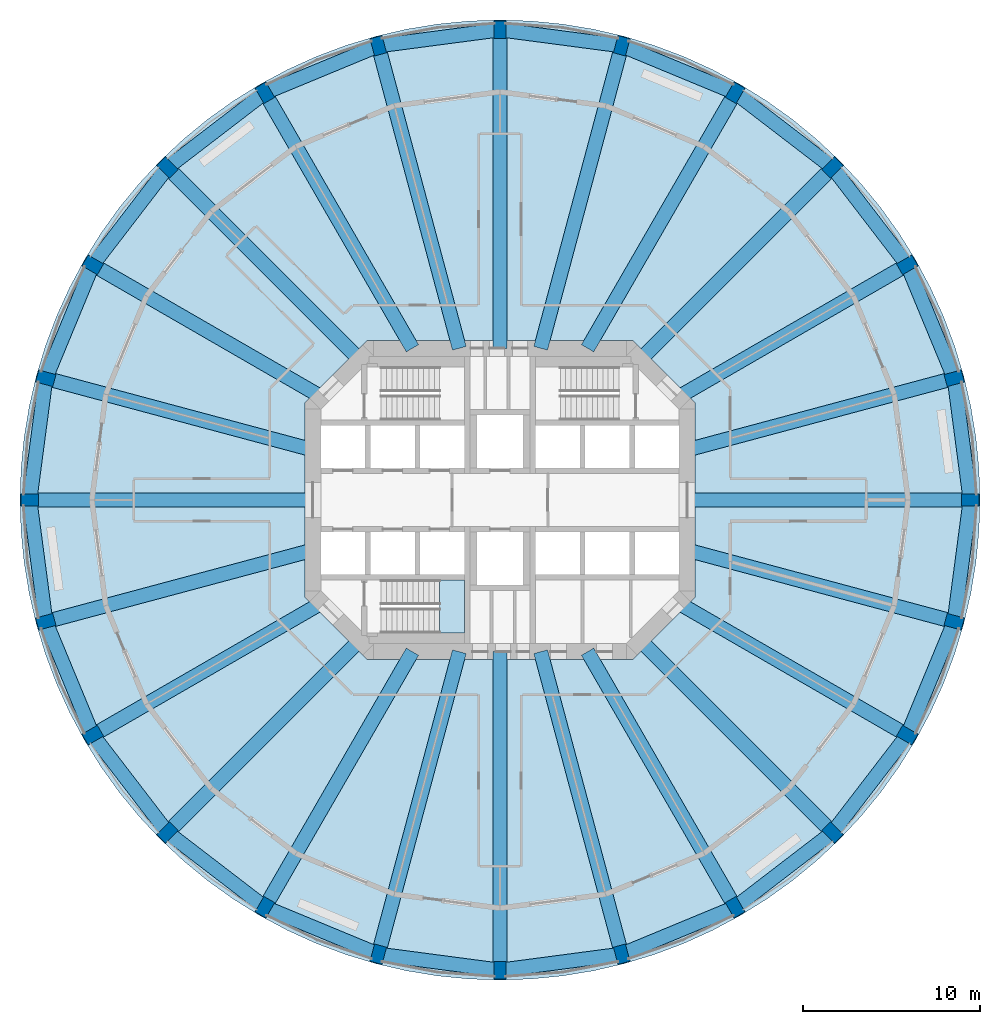
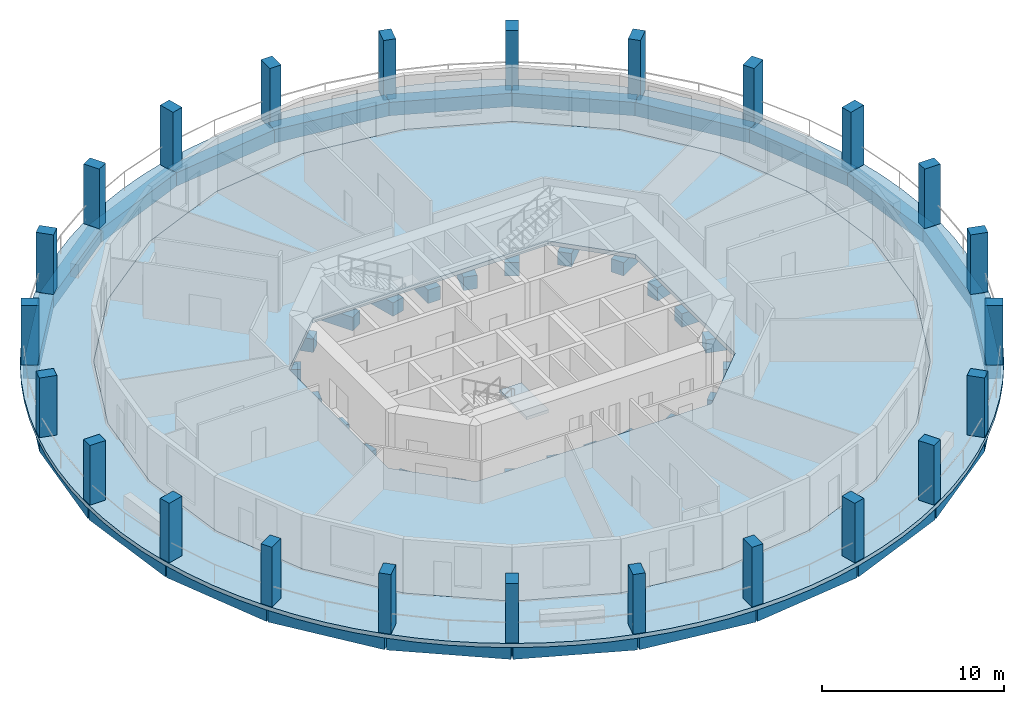
# One storey, part 1 of 9: 48 beams, 24 columns, 3 slabs, 1 element without a shape of its own.
"""IFC4 building model written with IfcOpenShell, lengths in metres."""

import ifcopenshell
import ifcopenshell.guid

model = None  # the IFC model being written
_history = None  # IfcOwnerHistory: only IFC2X3 demands one
_inside = {}  # id of a spatial element -> (the spatial element, [elements in it])
_under = {}  # id of a project, library or spatial element -> (it, [spatial elements below it])
_declared = {}  # id of a project -> (the project, [libraries it declares])
_typed = {}  # id of a type object -> (the type object, [elements of that type])
_made_of = {}  # id of a material, layer set ... -> (it, [elements and type objects made of it])


def new_model(schema):
    """Start an empty IFC model of exactly this schema.

    Asked for "IFC4X3", IfcOpenShell would pick the latest addendum, in which some entities
    have other attributes; the version numbers below select the first issue.
    IFC2X3 requires an IfcOwnerHistory on every rooted entity: one is made here for all.
    """
    global model, _history
    if schema == "IFC4X3":
        model = ifcopenshell.file(schema_version=(4, 3, 0, 0))
    else:
        model = ifcopenshell.file(schema=schema)
    _inside.clear()
    _under.clear()
    _declared.clear()
    _typed.clear()
    _made_of.clear()
    _history = None
    if model.schema == "IFC2X3":
        org = make("IfcOrganization", Name="unknown")
        user = make(
            "IfcPersonAndOrganization",
            ThePerson=make("IfcPerson", FamilyName="unknown"),
            TheOrganization=org,
        )
        app = make(
            "IfcApplication",
            ApplicationDeveloper=org,
            Version="unknown",
            ApplicationFullName="unknown",
            ApplicationIdentifier="unknown",
        )
        _history = make(
            "IfcOwnerHistory",
            OwningUser=user,
            OwningApplication=app,
            ChangeAction="ADDED",
            CreationDate=0,
        )
    return model


def make(cls, **values):
    """One entity of the class cls with the attributes given. An attribute that is None is left unset."""
    return model.create_entity(
        cls, **{name: value for name, value in values.items() if value is not None}
    )


def rooted(cls, **values):
    """An entity with a GlobalId (a new one), such as an element, a storey or a relation."""
    return make(cls, GlobalId=ifcopenshell.guid.new(), OwnerHistory=_history, **values)


def si_unit(unit_type, name, prefix=None):
    """IfcSIUnit, for example si_unit("LENGTHUNIT", "METRE", prefix="MILLI")."""
    return make("IfcSIUnit", UnitType=unit_type, Prefix=prefix, Name=name)


def assignment(units):
    """IfcUnitAssignment: the units of a project."""
    return None if units is None else make("IfcUnitAssignment", Units=units)


def point(xyz):
    """IfcCartesianPoint."""
    return None if xyz is None else make("IfcCartesianPoint", Coordinates=xyz)


def direction(xyz):
    """IfcDirection."""
    return None if xyz is None else make("IfcDirection", DirectionRatios=xyz)


def frame(location, z_axis=None, x_axis=None):
    """IfcAxis2Placement3D, a coordinate frame: its origin and axes. An axis left out is left unset."""
    return make(
        "IfcAxis2Placement3D",
        Location=point(location),
        Axis=direction(z_axis),
        RefDirection=direction(x_axis),
    )


def frame_2d(location, x_axis=None):
    """IfcAxis2Placement2D, a coordinate frame in the plane: its origin and x axis."""
    return make(
        "IfcAxis2Placement2D", Location=point(location), RefDirection=direction(x_axis)
    )


def origin():
    """The frame at (0, 0, 0) with its axes left unset."""
    return frame((0.0, 0.0, 0.0))


def origin_2d():
    """The frame at (0, 0) in the plane with its x axis left unset."""
    return frame_2d((0.0, 0.0))


def place(relative_to, where):
    """IfcLocalPlacement: puts the frame where relative to a parent placement (None: the world)."""
    return make(
        "IfcLocalPlacement", PlacementRelTo=relative_to, RelativePlacement=where
    )


def context(
    kind, dimensions, precision=None, world=None, true_north=None, identifier=None
):
    """IfcGeometricRepresentationContext, for example the 3D "Model" context."""
    return make(
        "IfcGeometricRepresentationContext",
        ContextIdentifier=identifier,
        ContextType=kind,
        CoordinateSpaceDimension=dimensions,
        Precision=precision,
        WorldCoordinateSystem=world,
        TrueNorth=true_north,
    )


def subcontext(parent, identifier, kind, view, scale=None):
    """IfcGeometricRepresentationSubContext, for example "Body" below "Model"."""
    return make(
        "IfcGeometricRepresentationSubContext",
        ContextIdentifier=identifier,
        ContextType=kind,
        ParentContext=parent,
        TargetScale=scale,
        TargetView=view,
    )


def project(units=None, contexts=None):
    """IfcProject with its units and contexts."""
    return rooted(
        "IfcProject",
        Name="project",
        RepresentationContexts=contexts,
        UnitsInContext=assignment(units),
    )


def spatial(cls, under=None, at=None, **own):
    """A site, building, storey or space (cls), placed at a placement, below another one or the project."""
    s = rooted(cls, ObjectPlacement=at, **own)
    if under is not None:
        _under.setdefault(under.id(), (under, []))[1].append(s)
    return s


def polyline(points):
    """IfcPolyline through the points."""
    return make("IfcPolyline", Points=[point(p) for p in points])


def profile(cls, at=None, kind="AREA", **sizes):
    """A parametric profile (cls). Its sizes go by their IFC names, for example OverallWidth=200.0."""
    return make(cls, ProfileType=kind, Position=at, **sizes)


def rectangle(**sizes):
    """IfcRectangleProfileDef."""
    return profile("IfcRectangleProfileDef", **sizes)


def outline(outer, holes=None, kind="AREA"):
    """IfcArbitraryClosedProfileDef: a profile drawn as a closed curve; with holes, ...WithVoids."""
    if holes is None:
        return make("IfcArbitraryClosedProfileDef", ProfileType=kind, OuterCurve=outer)
    return make(
        "IfcArbitraryProfileDefWithVoids",
        ProfileType=kind,
        OuterCurve=outer,
        InnerCurves=holes,
    )


def extrude(swept, where, along, depth):
    """IfcExtrudedAreaSolid: the profile swept, set in the frame where, extruded along a direction by depth."""
    return make(
        "IfcExtrudedAreaSolid",
        SweptArea=swept,
        Position=where,
        ExtrudedDirection=direction(along),
        Depth=depth,
    )


def shape(context_of_items, identifier, shape_type, items):
    """IfcShapeRepresentation: the items that make up one representation, for example the "Body"."""
    return make(
        "IfcShapeRepresentation",
        ContextOfItems=context_of_items,
        RepresentationIdentifier=identifier,
        RepresentationType=shape_type,
        Items=items,
    )


def material(Name=None, Category=None):
    """IfcMaterial."""
    return make("IfcMaterial", Name=Name, Category=Category)


def layer(
    of_material, thickness, ventilated=None, Name=None, Category=None, Priority=None
):
    """IfcMaterialLayer: one layer of a wall or slab, of a material (None: an air gap)."""
    return make(
        "IfcMaterialLayer",
        Material=of_material,
        LayerThickness=thickness,
        IsVentilated=ventilated,
        Name=Name,
        Category=Category,
        Priority=Priority,
    )


def layer_set(layers, Name=None):
    """IfcMaterialLayerSet."""
    return make("IfcMaterialLayerSet", MaterialLayers=layers, LayerSetName=Name)


def material_profile(
    of_material, cross_section, Name=None, Category=None, Priority=None
):
    """IfcMaterialProfile: a cross section and its material."""
    return make(
        "IfcMaterialProfile",
        Name=Name,
        Material=of_material,
        Profile=cross_section,
        Priority=Priority,
        Category=Category,
    )


def profile_set(profiles, Name=None, composite=None):
    """IfcMaterialProfileSet."""
    return make(
        "IfcMaterialProfileSet",
        Name=Name,
        MaterialProfiles=profiles,
        CompositeProfile=composite,
    )


def made_of(thing, what):
    """Note that an element or type object is made of a material, layer set ...; save() writes the relation."""
    if what is not None:
        _made_of.setdefault(what.id(), (what, []))[1].append(thing)
    return thing


def type_object(cls, material=None, **own):
    """A type object (cls), such as IfcWallType, which elements share."""
    return made_of(rooted(cls, **own), material)


def element(
    cls,
    number,
    at=None,
    inside=None,
    cuts=None,
    type_object=None,
    material=None,
    context=None,
    identifier="Body",
    shape_type=None,
    held_by="IfcProductDefinitionShape",
    body=None,
    shapes=None,
    **own,
):
    """One element of the class cls, such as IfcWall. Its Tag is "e" and its number.

    at: its placement. inside: the storey or other place that contains it. cuts: it is an
    opening in that element (IfcRelVoidsElement). A single representation is given by context,
    identifier, shape_type and body (its items); several are given by shapes. held_by: the class
    of the entity that holds the representations. save() writes the other relations.
    """
    e = rooted(cls, Tag="e%d" % number, ObjectPlacement=at, **own)
    if body is not None:
        shapes = [shape(context, identifier, shape_type, body)]
    if shapes is not None:
        e.Representation = make(held_by, Representations=shapes)
    if inside is not None:
        _inside.setdefault(inside.id(), (inside, []))[1].append(e)
    if cuts is not None:
        rooted(
            "IfcRelVoidsElement", RelatingBuildingElement=cuts, RelatedOpeningElement=e
        )
    if type_object is not None:
        _typed.setdefault(type_object.id(), (type_object, []))[1].append(e)
    return made_of(e, material)


def aggregate(whole, parts):
    """IfcRelAggregates: a whole, such as a stair, and the parts it consists of."""
    return rooted("IfcRelAggregates", RelatingObject=whole, RelatedObjects=parts)


def save(model, path):
    """Write the relations noted so far, then the file.

    IfcRelAggregates (storeys below a building ...), IfcRelContainedInSpatialStructure (elements
    in a storey), IfcRelDefinesByType, IfcRelAssociatesMaterial and IfcRelDeclares: one each for
    every whole, place, type object, material and project.
    """
    for whole, parts in _under.values():
        aggregate(whole, parts)
    for where, things in _inside.values():
        rooted(
            "IfcRelContainedInSpatialStructure",
            RelatedElements=things,
            RelatingStructure=where,
        )
    for kind, things in _typed.values():
        rooted("IfcRelDefinesByType", RelatedObjects=things, RelatingType=kind)
    for what, things in _made_of.values():
        rooted("IfcRelAssociatesMaterial", RelatedObjects=things, RelatingMaterial=what)
    for by, libraries in _declared.values():
        rooted("IfcRelDeclares", RelatingContext=by, RelatedDefinitions=libraries)
    model.write(path)


model = new_model("IFC4")

# Units and contexts
model_context = context("Model", 3, precision=1e-05, world=origin(), true_north=direction((0.0, 1.0)))
body_context = subcontext(model_context, "Body", "Model", "MODEL_VIEW")
ifc_project = project(units=[si_unit("LENGTHUNIT", "METRE"), si_unit("AREAUNIT", "SQUARE_METRE"), si_unit("VOLUMEUNIT", "CUBIC_METRE"), si_unit("PLANEANGLEUNIT", "RADIAN"), si_unit("MASSUNIT", "GRAM", prefix="KILO")], contexts=[model_context])

# Site, building, storey
site_placement = place(None, origin())
site = spatial("IfcSite", under=ifc_project, at=site_placement, CompositionType="ELEMENT")
building_placement = place(site_placement, origin())
building = spatial("IfcBuilding", under=site, at=building_placement, Name="Torre Triforio", CompositionType="ELEMENT")
storey_placement = place(building_placement, frame((0.0, 0.0, 71.0)))
storey = spatial("IfcBuildingStorey", under=building, at=storey_placement, Name="L15", CompositionType="ELEMENT", Elevation=71.0)

# Columns
ifc_material_1 = material(Name="Concrete C70", Category="concrete")
ifc_material_profile_1 = material_profile(ifc_material_1, rectangle(XDim=0.699951171875, YDim=1.0, at=origin_2d()), Name="RC 700x1000")
ifc_profile_set_1 = profile_set([ifc_material_profile_1], Name="Concrete C70")
column_type = type_object("IfcColumnType", Name="Pier RC 700x1000 C70", PredefinedType="COLUMN", material=ifc_profile_set_1)
for number, where, z_axis, x_axis, name in (
    (1, (26.5, 0.0, 0.0), (0.0, 0.0, 1.0), (0.0, 1.0, 0.0), "COL.R.L15.00"),
    (2, (25.596923828125, 6.858642578125, 0.0), (0.0, 0.0, 1.0), (-0.258819045103, 0.965925826289, 0.0), "COL.R.L15.01"),
    (3, (22.94970703125, 13.25, 0.0), (0.0, 0.0, 1.0), (-0.5, 0.866025403784, 0.0), "COL.R.L15.02"),
    (4, (18.73828125, 18.73828125, 0.0), (0.0, 0.0, 1.0), (-0.707106781187, 0.707106781187, 0.0), "COL.R.L15.03"),
    (5, (13.25, 22.94970703125, 0.0), (0.0, 0.0, 1.0), (-0.866025403784, 0.5, 0.0), "COL.R.L15.04"),
    (6, (6.858642578125, 25.596923828125, 0.0), (0.0, 0.0, 1.0), (-0.965925826289, 0.258819045103, 0.0), "COL.R.L15.05"),
    (7, (0.0, 26.5, 0.0), (0.0, 0.0, 1.0), (-1.0, 0.0, 0.0), "COL.R.L15.06"),
    (8, (-6.858642578125, 25.596923828125, 0.0), (0.0, 0.0, 1.0), (-0.965925826289, -0.258819045103, 0.0), "COL.R.L15.07"),
    (9, (-13.25, 22.94970703125, 0.0), (0.0, 0.0, 1.0), (-0.866025403784, -0.5, 0.0), "COL.R.L15.08"),
    (10, (-18.73828125, 18.73828125, 0.0), (0.0, 0.0, 1.0), (-0.707106781187, -0.707106781187, 0.0), "COL.R.L15.09"),
    (11, (-22.94970703125, 13.25, 0.0), (0.0, 0.0, 1.0), (-0.5, -0.866025403784, 0.0), "COL.R.L15.10"),
    (12, (-25.596923828125, 6.858642578125, 0.0), (0.0, 0.0, 1.0), (-0.258819045103, -0.965925826289, 0.0), "COL.R.L15.11"),
    (13, (-26.5, 0.0, 0.0), (0.0, 0.0, 1.0), (0.0, -1.0, 0.0), "COL.R.L15.12"),
    (14, (-25.596923828125, -6.858642578125, 0.0), (0.0, 0.0, 1.0), (0.258819045103, -0.965925826289, 0.0), "COL.R.L15.13"),
    (15, (-22.94970703125, -13.25, 0.0), (0.0, 0.0, 1.0), (0.5, -0.866025403784, 0.0), "COL.R.L15.14"),
    (16, (-18.73828125, -18.73828125, 0.0), (0.0, 0.0, 1.0), (0.707106781187, -0.707106781187, 0.0), "COL.R.L15.15"),
    (17, (-13.25, -22.94970703125, 0.0), (0.0, 0.0, 1.0), (0.866025403784, -0.5, 0.0), "COL.R.L15.16"),
    (18, (-6.858642578125, -25.596923828125, 0.0), (0.0, 0.0, 1.0), (0.965925826289, -0.258819045103, 0.0), "COL.R.L15.17"),
    (19, (0.0, -26.5, 0.0), (0.0, 0.0, 1.0), (1.0, 0.0, 0.0), "COL.R.L15.18"),
    (20, (6.858642578125, -25.596923828125, 0.0), (0.0, 0.0, 1.0), (0.965925826289, 0.258819045103, 0.0), "COL.R.L15.19"),
    (21, (13.25, -22.94970703125, 0.0), (0.0, 0.0, 1.0), (0.866025403784, 0.5, 0.0), "COL.R.L15.20"),
    (22, (18.73828125, -18.73828125, 0.0), (0.0, 0.0, 1.0), (0.707106781187, 0.707106781187, 0.0), "COL.R.L15.21"),
    (23, (22.94970703125, -13.25, 0.0), (0.0, 0.0, 1.0), (0.5, 0.866025403784, 0.0), "COL.R.L15.22"),
    (24, (25.596923828125, -6.858642578125, 0.0), (0.0, 0.0, 1.0), (0.258819045103, 0.965925826289, 0.0), "COL.R.L15.23"),
):
    element("IfcColumn", number, at=place(storey_placement, frame(where, z_axis=z_axis, x_axis=x_axis)), inside=storey, type_object=column_type, Name=name, PredefinedType="COLUMN", context=body_context, shape_type="SweptSolid", body=[
        extrude(rectangle(XDim=0.699951171875, YDim=1.0, at=origin_2d()), origin(), (0.0, 0.0, 1.0), 4.0),
    ])

# Beams
ifc_material_2 = material(Name="Concrete C50", Category="concrete")
ifc_material_profile_2 = material_profile(ifc_material_2, rectangle(XDim=0.800048828125, YDim=0.89990234375, at=origin_2d()), Name="RC 800x900")
ifc_profile_set_2 = profile_set([ifc_material_profile_2], Name="Concrete C50")
beam_type_1 = type_object("IfcBeamType", Name="Radial beam RC 800x900 C50", PredefinedType="BEAM", material=ifc_profile_set_2)
beam_1_placement = place(storey_placement, frame((10.550048828125, 0.0, -0.72998046875), z_axis=(1.0, 0.0, 0.0), x_axis=(0.0, 1.0, 0.0)))
element("IfcBeam", 25, at=beam_1_placement, inside=storey, type_object=beam_type_1, Name="BM.R.L15.00", PredefinedType="BEAM", context=body_context, shape_type="SweptSolid", body=[
    extrude(rectangle(XDim=0.800048828125, YDim=0.89990234375, at=origin_2d()), origin(), (0.0, 0.0, 1.0), 15.949951171875),
])
beam_2_placement = place(storey_placement, frame((10.550048828125, 2.826904296875, -0.72998046875), z_axis=(0.965926784764, 0.258815467997, 0.0), x_axis=(-0.258815467997, 0.965926784764, 0.0)))
element("IfcBeam", 26, at=beam_2_placement, inside=storey, type_object=beam_type_1, Name="BM.R.L15.01", PredefinedType="BEAM", context=body_context, shape_type="SweptSolid", body=[
    extrude(rectangle(XDim=0.800048828125, YDim=0.89990234375, at=origin_2d()), origin(), (0.0, 0.0, 1.0), 15.57763671875),
])
beam_3_placement = place(storey_placement, frame((10.039794921875, 5.796630859375, -0.72998046875), z_axis=(0.866030402573, 0.499991341745, 0.0), x_axis=(-0.499991341745, 0.866030402573, 0.0)))
element("IfcBeam", 27, at=beam_3_placement, inside=storey, type_object=beam_type_1, Name="BM.R.L15.02", PredefinedType="BEAM", context=body_context, shape_type="SweptSolid", body=[
    extrude(rectangle(XDim=0.800048828125, YDim=0.89990234375, at=origin_2d()), origin(), (0.0, 0.0, 1.0), 14.906982421875),
])
beam_4_placement = place(storey_placement, frame((7.918212890625, 7.918212890625, -0.72998046875), z_axis=(0.707106781187, 0.707106781187, 0.0), x_axis=(-0.707106781187, 0.707106781187, 0.0)))
element("IfcBeam", 28, at=beam_4_placement, inside=storey, type_object=beam_type_1, Name="BM.R.L15.03", PredefinedType="BEAM", context=body_context, shape_type="SweptSolid", body=[
    extrude(rectangle(XDim=0.800048828125, YDim=0.89990234375, at=origin_2d()), origin(), (0.0, 0.0, 1.0), 15.302001953125),
])
beam_5_placement = place(storey_placement, frame((4.936279296875, 8.550048828125, -0.72998046875), z_axis=(0.500003345241, 0.8660234724, 0.0), x_axis=(-0.8660234724, 0.500003345241, 0.0)))
element("IfcBeam", 29, at=beam_5_placement, inside=storey, type_object=beam_type_1, Name="BM.R.L15.04", PredefinedType="BEAM", context=body_context, shape_type="SweptSolid", body=[
    extrude(rectangle(XDim=0.800048828125, YDim=0.89990234375, at=origin_2d()), origin(), (0.0, 0.0, 1.0), 16.62744140625),
])
beam_6_placement = place(storey_placement, frame((2.291015625, 8.550048828125, -0.72998046875), z_axis=(0.258815374176, 0.965926809903, 0.0), x_axis=(-0.965926809903, 0.258815374176, 0.0)))
element("IfcBeam", 30, at=beam_6_placement, inside=storey, type_object=beam_type_1, Name="BM.R.L15.05", PredefinedType="BEAM", context=body_context, shape_type="SweptSolid", body=[
    extrude(rectangle(XDim=0.800048828125, YDim=0.89990234375, at=origin_2d()), origin(), (0.0, 0.0, 1.0), 17.648193359375),
])
beam_7_placement = place(storey_placement, frame((0.0, 8.550048828125, -0.72998046875), z_axis=(0.0, 1.0, 0.0), x_axis=(-1.0, 0.0, 0.0)))
element("IfcBeam", 31, at=beam_7_placement, inside=storey, type_object=beam_type_1, Name="BM.R.L15.06", PredefinedType="BEAM", context=body_context, shape_type="SweptSolid", body=[
    extrude(rectangle(XDim=0.800048828125, YDim=0.89990234375, at=origin_2d()), origin(), (0.0, 0.0, 1.0), 17.949951171875),
])
beam_8_placement = place(storey_placement, frame((-2.291015625, 8.550048828125, -0.72998046875), z_axis=(-0.258815374176, 0.965926809903, 0.0), x_axis=(-0.965926809903, -0.258815374176, 0.0)))
element("IfcBeam", 32, at=beam_8_placement, inside=storey, type_object=beam_type_1, Name="BM.R.L15.07", PredefinedType="BEAM", context=body_context, shape_type="SweptSolid", body=[
    extrude(rectangle(XDim=0.800048828125, YDim=0.89990234375, at=origin_2d()), origin(), (0.0, 0.0, 1.0), 17.648193359375),
])
beam_9_placement = place(storey_placement, frame((-4.936279296875, 8.550048828125, -0.72998046875), z_axis=(-0.500003345241, 0.8660234724, 0.0), x_axis=(-0.8660234724, -0.500003345241, 0.0)))
element("IfcBeam", 33, at=beam_9_placement, inside=storey, type_object=beam_type_1, Name="BM.R.L15.08", PredefinedType="BEAM", context=body_context, shape_type="SweptSolid", body=[
    extrude(rectangle(XDim=0.800048828125, YDim=0.89990234375, at=origin_2d()), origin(), (0.0, 0.0, 1.0), 16.62744140625),
])
beam_10_placement = place(storey_placement, frame((-7.918212890625, 7.918212890625, -0.72998046875), z_axis=(-0.707106781187, 0.707106781187, 0.0), x_axis=(-0.707106781187, -0.707106781187, 0.0)))
element("IfcBeam", 34, at=beam_10_placement, inside=storey, type_object=beam_type_1, Name="BM.R.L15.09", PredefinedType="BEAM", context=body_context, shape_type="SweptSolid", body=[
    extrude(rectangle(XDim=0.800048828125, YDim=0.89990234375, at=origin_2d()), origin(), (0.0, 0.0, 1.0), 15.302001953125),
])
beam_11_placement = place(storey_placement, frame((-10.039794921875, 5.796630859375, -0.72998046875), z_axis=(-0.866030402573, 0.499991341745, 0.0), x_axis=(-0.499991341745, -0.866030402573, 0.0)))
element("IfcBeam", 35, at=beam_11_placement, inside=storey, type_object=beam_type_1, Name="BM.R.L15.10", PredefinedType="BEAM", context=body_context, shape_type="SweptSolid", body=[
    extrude(rectangle(XDim=0.800048828125, YDim=0.89990234375, at=origin_2d()), origin(), (0.0, 0.0, 1.0), 14.906982421875),
])
beam_12_placement = place(storey_placement, frame((-10.550048828125, 2.826904296875, -0.72998046875), z_axis=(-0.965926784764, 0.258815467997, 0.0), x_axis=(-0.258815467997, -0.965926784764, 0.0)))
element("IfcBeam", 36, at=beam_12_placement, inside=storey, type_object=beam_type_1, Name="BM.R.L15.11", PredefinedType="BEAM", context=body_context, shape_type="SweptSolid", body=[
    extrude(rectangle(XDim=0.800048828125, YDim=0.89990234375, at=origin_2d()), origin(), (0.0, 0.0, 1.0), 15.57763671875),
])
beam_13_placement = place(storey_placement, frame((-10.550048828125, 0.0, -0.72998046875), z_axis=(-1.0, 0.0, 0.0), x_axis=(0.0, -1.0, 0.0)))
element("IfcBeam", 37, at=beam_13_placement, inside=storey, type_object=beam_type_1, Name="BM.R.L15.12", PredefinedType="BEAM", context=body_context, shape_type="SweptSolid", body=[
    extrude(rectangle(XDim=0.800048828125, YDim=0.89990234375, at=origin_2d()), origin(), (0.0, 0.0, 1.0), 15.949951171875),
])
beam_14_placement = place(storey_placement, frame((-10.550048828125, -2.826904296875, -0.72998046875), z_axis=(-0.965926784764, -0.258815467997, 0.0), x_axis=(0.258815467997, -0.965926784764, 0.0)))
element("IfcBeam", 38, at=beam_14_placement, inside=storey, type_object=beam_type_1, Name="BM.R.L15.13", PredefinedType="BEAM", context=body_context, shape_type="SweptSolid", body=[
    extrude(rectangle(XDim=0.800048828125, YDim=0.89990234375, at=origin_2d()), origin(), (0.0, 0.0, 1.0), 15.57763671875),
])
beam_15_placement = place(storey_placement, frame((-10.039794921875, -5.796630859375, -0.72998046875), z_axis=(-0.866030402573, -0.499991341745, 0.0), x_axis=(0.499991341745, -0.866030402573, 0.0)))
element("IfcBeam", 39, at=beam_15_placement, inside=storey, type_object=beam_type_1, Name="BM.R.L15.14", PredefinedType="BEAM", context=body_context, shape_type="SweptSolid", body=[
    extrude(rectangle(XDim=0.800048828125, YDim=0.89990234375, at=origin_2d()), origin(), (0.0, 0.0, 1.0), 14.906982421875),
])
beam_16_placement = place(storey_placement, frame((-7.918212890625, -7.918212890625, -0.72998046875), z_axis=(-0.707106781187, -0.707106781187, 0.0), x_axis=(0.707106781187, -0.707106781187, 0.0)))
element("IfcBeam", 40, at=beam_16_placement, inside=storey, type_object=beam_type_1, Name="BM.R.L15.15", PredefinedType="BEAM", context=body_context, shape_type="SweptSolid", body=[
    extrude(rectangle(XDim=0.800048828125, YDim=0.89990234375, at=origin_2d()), origin(), (0.0, 0.0, 1.0), 15.302001953125),
])
beam_17_placement = place(storey_placement, frame((-4.936279296875, -8.550048828125, -0.72998046875), z_axis=(-0.500003345241, -0.8660234724, 0.0), x_axis=(0.8660234724, -0.500003345241, 0.0)))
element("IfcBeam", 41, at=beam_17_placement, inside=storey, type_object=beam_type_1, Name="BM.R.L15.16", PredefinedType="BEAM", context=body_context, shape_type="SweptSolid", body=[
    extrude(rectangle(XDim=0.800048828125, YDim=0.89990234375, at=origin_2d()), origin(), (0.0, 0.0, 1.0), 16.62744140625),
])
beam_18_placement = place(storey_placement, frame((-2.291015625, -8.550048828125, -0.72998046875), z_axis=(-0.258815374176, -0.965926809903, 0.0), x_axis=(0.965926809903, -0.258815374176, 0.0)))
element("IfcBeam", 42, at=beam_18_placement, inside=storey, type_object=beam_type_1, Name="BM.R.L15.17", PredefinedType="BEAM", context=body_context, shape_type="SweptSolid", body=[
    extrude(rectangle(XDim=0.800048828125, YDim=0.89990234375, at=origin_2d()), origin(), (0.0, 0.0, 1.0), 17.648193359375),
])
beam_19_placement = place(storey_placement, frame((0.0, -8.550048828125, -0.72998046875), z_axis=(0.0, -1.0, 0.0), x_axis=(1.0, 0.0, 0.0)))
element("IfcBeam", 43, at=beam_19_placement, inside=storey, type_object=beam_type_1, Name="BM.R.L15.18", PredefinedType="BEAM", context=body_context, shape_type="SweptSolid", body=[
    extrude(rectangle(XDim=0.800048828125, YDim=0.89990234375, at=origin_2d()), origin(), (0.0, 0.0, 1.0), 17.949951171875),
])
beam_20_placement = place(storey_placement, frame((2.291015625, -8.550048828125, -0.72998046875), z_axis=(0.258815374176, -0.965926809903, 0.0), x_axis=(0.965926809903, 0.258815374176, 0.0)))
element("IfcBeam", 44, at=beam_20_placement, inside=storey, type_object=beam_type_1, Name="BM.R.L15.19", PredefinedType="BEAM", context=body_context, shape_type="SweptSolid", body=[
    extrude(rectangle(XDim=0.800048828125, YDim=0.89990234375, at=origin_2d()), origin(), (0.0, 0.0, 1.0), 17.648193359375),
])
beam_21_placement = place(storey_placement, frame((4.936279296875, -8.550048828125, -0.72998046875), z_axis=(0.500003345241, -0.8660234724, 0.0), x_axis=(0.8660234724, 0.500003345241, 0.0)))
element("IfcBeam", 45, at=beam_21_placement, inside=storey, type_object=beam_type_1, Name="BM.R.L15.20", PredefinedType="BEAM", context=body_context, shape_type="SweptSolid", body=[
    extrude(rectangle(XDim=0.800048828125, YDim=0.89990234375, at=origin_2d()), origin(), (0.0, 0.0, 1.0), 16.62744140625),
])
beam_22_placement = place(storey_placement, frame((7.918212890625, -7.918212890625, -0.72998046875), z_axis=(0.707106781187, -0.707106781187, 0.0), x_axis=(0.707106781187, 0.707106781187, 0.0)))
element("IfcBeam", 46, at=beam_22_placement, inside=storey, type_object=beam_type_1, Name="BM.R.L15.21", PredefinedType="BEAM", context=body_context, shape_type="SweptSolid", body=[
    extrude(rectangle(XDim=0.800048828125, YDim=0.89990234375, at=origin_2d()), origin(), (0.0, 0.0, 1.0), 15.302001953125),
])
beam_23_placement = place(storey_placement, frame((10.039794921875, -5.796630859375, -0.72998046875), z_axis=(0.866030402573, -0.499991341745, 0.0), x_axis=(0.499991341745, 0.866030402573, 0.0)))
element("IfcBeam", 47, at=beam_23_placement, inside=storey, type_object=beam_type_1, Name="BM.R.L15.22", PredefinedType="BEAM", context=body_context, shape_type="SweptSolid", body=[
    extrude(rectangle(XDim=0.800048828125, YDim=0.89990234375, at=origin_2d()), origin(), (0.0, 0.0, 1.0), 14.906982421875),
])
beam_24_placement = place(storey_placement, frame((10.550048828125, -2.826904296875, -0.72998046875), z_axis=(0.965926784764, -0.258815467997, 0.0), x_axis=(0.258815467997, 0.965926784764, 0.0)))
element("IfcBeam", 48, at=beam_24_placement, inside=storey, type_object=beam_type_1, Name="BM.R.L15.23", PredefinedType="BEAM", context=body_context, shape_type="SweptSolid", body=[
    extrude(rectangle(XDim=0.800048828125, YDim=0.89990234375, at=origin_2d()), origin(), (0.0, 0.0, 1.0), 15.57763671875),
])
ifc_material_profile_3 = material_profile(ifc_material_2, rectangle(XDim=0.800048828125, YDim=0.89990234375, at=origin_2d()), Name="RC 800x900")
ifc_profile_set_3 = profile_set([ifc_material_profile_3], Name="Concrete C50")
beam_type_2 = type_object("IfcBeamType", Name="Spandrel beam RC 800x900 C50", PredefinedType="SPANDREL", material=ifc_profile_set_3)
beam_25_placement = place(storey_placement, frame((26.5, 0.0, -0.72998046875), z_axis=(-0.130543064996, 0.991442639885, 0.0), x_axis=(-0.991442639885, -0.130543064996, 0.0)))
element("IfcBeam", 49, at=beam_25_placement, inside=storey, type_object=beam_type_2, Name="BM.S.L15.00", PredefinedType="SPANDREL", context=body_context, shape_type="SweptSolid", body=[
    extrude(rectangle(XDim=0.800048828125, YDim=0.89990234375, at=origin_2d()), origin(), (0.0, 0.0, 1.0), 6.917724609375),
])
for number, where, z_axis, x_axis, name in (
    (50, (25.596923828125, 6.858642578125, -0.72998046875), (-0.382662441128, 0.923888227087, 0.0), (-0.923888227087, -0.382662441128, 0.0), "BM.S.L15.01"),
    (51, (22.94970703125, 13.25, -0.72998046875), (-0.608772297796, 0.793345000259, 0.0), (-0.793345000259, -0.608772297796, 0.0), "BM.S.L15.02"),
    (52, (18.73828125, 18.73828125, -0.72998046875), (-0.793345000259, 0.608772297796, 0.0), (-0.608772297796, -0.793345000259, 0.0), "BM.S.L15.03"),
    (53, (13.25, 22.94970703125, -0.72998046875), (-0.923888227087, 0.382662441128, 0.0), (-0.382662441128, -0.923888227087, 0.0), "BM.S.L15.04"),
):
    element("IfcBeam", number, at=place(storey_placement, frame(where, z_axis=z_axis, x_axis=x_axis)), inside=storey, type_object=beam_type_2, Name=name, PredefinedType="SPANDREL", context=body_context, shape_type="SweptSolid", body=[
        extrude(rectangle(XDim=0.800048828125, YDim=0.89990234375, at=origin_2d()), origin(), (0.0, 0.0, 1.0), 6.91796875),
    ])
for number, where, z_axis, x_axis, name in (
    (54, (6.858642578125, 25.596923828125, -0.72998046875), (-0.991442639885, 0.130543064996, 0.0), (-0.130543064996, -0.991442639885, 0.0), "BM.S.L15.05"),
    (55, (0.0, 26.5, -0.72998046875), (-0.991442639885, -0.130543064996, 0.0), (0.130543064996, -0.991442639885, 0.0), "BM.S.L15.06"),
):
    element("IfcBeam", number, at=place(storey_placement, frame(where, z_axis=z_axis, x_axis=x_axis)), inside=storey, type_object=beam_type_2, Name=name, PredefinedType="SPANDREL", context=body_context, shape_type="SweptSolid", body=[
        extrude(rectangle(XDim=0.800048828125, YDim=0.89990234375, at=origin_2d()), origin(), (0.0, 0.0, 1.0), 6.917724609375),
    ])
for number, where, z_axis, x_axis, name in (
    (56, (-6.858642578125, 25.596923828125, -0.72998046875), (-0.923888227087, -0.382662441128, 0.0), (0.382662441128, -0.923888227087, 0.0), "BM.S.L15.07"),
    (57, (-13.25, 22.94970703125, -0.72998046875), (-0.793345000259, -0.608772297796, 0.0), (0.608772297796, -0.793345000259, 0.0), "BM.S.L15.08"),
    (58, (-18.73828125, 18.73828125, -0.72998046875), (-0.608772297796, -0.793345000259, 0.0), (0.793345000259, -0.608772297796, 0.0), "BM.S.L15.09"),
    (59, (-22.94970703125, 13.25, -0.72998046875), (-0.382662441128, -0.923888227087, 0.0), (0.923888227087, -0.382662441128, 0.0), "BM.S.L15.10"),
):
    element("IfcBeam", number, at=place(storey_placement, frame(where, z_axis=z_axis, x_axis=x_axis)), inside=storey, type_object=beam_type_2, Name=name, PredefinedType="SPANDREL", context=body_context, shape_type="SweptSolid", body=[
        extrude(rectangle(XDim=0.800048828125, YDim=0.89990234375, at=origin_2d()), origin(), (0.0, 0.0, 1.0), 6.91796875),
    ])
for number, where, z_axis, x_axis, name in (
    (60, (-25.596923828125, 6.858642578125, -0.72998046875), (-0.130543064996, -0.991442639885, 0.0), (0.991442639885, -0.130543064996, 0.0), "BM.S.L15.11"),
    (61, (-26.5, 0.0, -0.72998046875), (0.130543064996, -0.991442639885, 0.0), (0.991442639885, 0.130543064996, 0.0), "BM.S.L15.12"),
):
    element("IfcBeam", number, at=place(storey_placement, frame(where, z_axis=z_axis, x_axis=x_axis)), inside=storey, type_object=beam_type_2, Name=name, PredefinedType="SPANDREL", context=body_context, shape_type="SweptSolid", body=[
        extrude(rectangle(XDim=0.800048828125, YDim=0.89990234375, at=origin_2d()), origin(), (0.0, 0.0, 1.0), 6.917724609375),
    ])
for number, where, z_axis, x_axis, name in (
    (62, (-25.596923828125, -6.858642578125, -0.72998046875), (0.382662441128, -0.923888227087, 0.0), (0.923888227087, 0.382662441128, 0.0), "BM.S.L15.13"),
    (63, (-22.94970703125, -13.25, -0.72998046875), (0.608772297796, -0.793345000259, 0.0), (0.793345000259, 0.608772297796, 0.0), "BM.S.L15.14"),
    (64, (-18.73828125, -18.73828125, -0.72998046875), (0.793345000259, -0.608772297796, 0.0), (0.608772297796, 0.793345000259, 0.0), "BM.S.L15.15"),
    (65, (-13.25, -22.94970703125, -0.72998046875), (0.923888227087, -0.382662441128, 0.0), (0.382662441128, 0.923888227087, 0.0), "BM.S.L15.16"),
):
    element("IfcBeam", number, at=place(storey_placement, frame(where, z_axis=z_axis, x_axis=x_axis)), inside=storey, type_object=beam_type_2, Name=name, PredefinedType="SPANDREL", context=body_context, shape_type="SweptSolid", body=[
        extrude(rectangle(XDim=0.800048828125, YDim=0.89990234375, at=origin_2d()), origin(), (0.0, 0.0, 1.0), 6.91796875),
    ])
for number, where, z_axis, x_axis, name in (
    (66, (-6.858642578125, -25.596923828125, -0.72998046875), (0.991442639885, -0.130543064996, 0.0), (0.130543064996, 0.991442639885, 0.0), "BM.S.L15.17"),
    (67, (0.0, -26.5, -0.72998046875), (0.991442639885, 0.130543064996, 0.0), (-0.130543064996, 0.991442639885, 0.0), "BM.S.L15.18"),
):
    element("IfcBeam", number, at=place(storey_placement, frame(where, z_axis=z_axis, x_axis=x_axis)), inside=storey, type_object=beam_type_2, Name=name, PredefinedType="SPANDREL", context=body_context, shape_type="SweptSolid", body=[
        extrude(rectangle(XDim=0.800048828125, YDim=0.89990234375, at=origin_2d()), origin(), (0.0, 0.0, 1.0), 6.917724609375),
    ])
for number, where, z_axis, x_axis, name in (
    (68, (6.858642578125, -25.596923828125, -0.72998046875), (0.923888227087, 0.382662441128, 0.0), (-0.382662441128, 0.923888227087, 0.0), "BM.S.L15.19"),
    (69, (13.25, -22.94970703125, -0.72998046875), (0.793345000259, 0.608772297796, 0.0), (-0.608772297796, 0.793345000259, 0.0), "BM.S.L15.20"),
    (70, (18.73828125, -18.73828125, -0.72998046875), (0.608772297796, 0.793345000259, 0.0), (-0.793345000259, 0.608772297796, 0.0), "BM.S.L15.21"),
    (71, (22.94970703125, -13.25, -0.72998046875), (0.382662441128, 0.923888227087, 0.0), (-0.923888227087, 0.382662441128, 0.0), "BM.S.L15.22"),
):
    element("IfcBeam", number, at=place(storey_placement, frame(where, z_axis=z_axis, x_axis=x_axis)), inside=storey, type_object=beam_type_2, Name=name, PredefinedType="SPANDREL", context=body_context, shape_type="SweptSolid", body=[
        extrude(rectangle(XDim=0.800048828125, YDim=0.89990234375, at=origin_2d()), origin(), (0.0, 0.0, 1.0), 6.91796875),
    ])
beam_26_placement = place(storey_placement, frame((25.596923828125, -6.858642578125, -0.72998046875), z_axis=(0.130543064996, 0.991442639885, 0.0), x_axis=(-0.991442639885, 0.130543064996, 0.0)))
element("IfcBeam", 72, at=beam_26_placement, inside=storey, type_object=beam_type_2, Name="BM.S.L15.23", PredefinedType="SPANDREL", context=body_context, shape_type="SweptSolid", body=[
    extrude(rectangle(XDim=0.800048828125, YDim=0.89990234375, at=origin_2d()), origin(), (0.0, 0.0, 1.0), 6.917724609375),
])

# Slabs
ifc_layer_1 = layer(ifc_material_2, 0.280029296875)
ifc_layer_set_1 = layer_set([ifc_layer_1], Name="Concrete C50")
slab_type_1 = type_object("IfcSlabType", Name="Floor slab 280 C50", PredefinedType="FLOOR", material=ifc_layer_set_1)
slab_1_placement = place(storey_placement, frame((0.0, 0.0, -0.280029296875)))
element("IfcSlab", 73, at=slab_1_placement, inside=storey, type_object=slab_type_1, Name="SL.L15", PredefinedType="FLOOR", context=body_context, shape_type="SweptSolid", body=[
    extrude(outline(polyline([(19.918701171875, -11.5), (22.21630859375, -5.952880859375), (23.0, 0.0), (22.21630859375, 5.952880859375), (19.918701171875, 11.5), (16.263427734375, 16.263427734375), (11.5, 19.918701171875), (5.952880859375, 22.21630859375), (0.0, 23.0), (-5.952880859375, 22.21630859375), (-11.5, 19.918701171875), (-16.263427734375, 16.263427734375), (-19.918701171875, 11.5), (-22.21630859375, 5.952880859375), (-23.0, 0.0), (-22.21630859375, -5.952880859375), (-19.918701171875, -11.5), (-16.263427734375, -16.263427734375), (-11.5, -19.918701171875), (-5.952880859375, -22.21630859375), (0.0, -23.0), (5.952880859375, -22.21630859375), (11.5, -19.918701171875), (16.263427734375, -16.263427734375), (19.918701171875, -11.5)]), holes=[polyline([(11.0, 5.472900390625), (11.0, -5.472900390625), (7.472900390625, -9.0), (-7.472900390625, -9.0), (-11.0, -5.472900390625), (-11.0, 5.472900390625), (-7.472900390625, 9.0), (7.472900390625, 9.0), (11.0, 5.472900390625)])]), origin(), (0.0, 0.0, 1.0), 0.280029296875),
])
ifc_layer_2 = layer(ifc_material_2, 0.280029296875)
ifc_layer_set_2 = layer_set([ifc_layer_2], Name="Concrete C50")
slab_type_2 = type_object("IfcSlabType", Name="Loggia slab 280 C50", PredefinedType="FLOOR", material=ifc_layer_set_2)
slab_2_placement = place(storey_placement, frame((0.0, 0.0, -0.280029296875)))
element("IfcSlab", 74, at=slab_2_placement, inside=storey, type_object=slab_type_2, Name="SL.L15.LG", PredefinedType="FLOOR", context=body_context, shape_type="SweptSolid", body=[
    extrude(outline(polyline([(26.9921875, -1.76904296875), (27.050048828125, 0.0), (26.9921875, 1.76904296875), (26.818603515625, 3.53076171875), (26.5302734375, 5.277099609375), (26.128173828125, 7.0009765625), (25.614501953125, 8.69482421875), (24.990966796875, 10.3515625), (24.260498046875, 11.9638671875), (23.426025390625, 13.52490234375), (22.4912109375, 15.028076171875), (21.460205078125, 16.467041015625), (20.337158203125, 17.835205078125), (19.127197265625, 19.127197265625), (17.835205078125, 20.337158203125), (16.467041015625, 21.460205078125), (15.028076171875, 22.4912109375), (13.52490234375, 23.426025390625), (11.9638671875, 24.260498046875), (10.3515625, 24.990966796875), (8.69482421875, 25.614501953125), (7.0009765625, 26.128173828125), (5.277099609375, 26.5302734375), (3.53076171875, 26.818603515625), (1.76904296875, 26.9921875), (0.0, 27.050048828125), (-1.76904296875, 26.9921875), (-3.53076171875, 26.818603515625), (-5.277099609375, 26.5302734375), (-7.0009765625, 26.128173828125), (-8.69482421875, 25.614501953125), (-10.3515625, 24.990966796875), (-11.9638671875, 24.260498046875), (-13.52490234375, 23.426025390625), (-15.028076171875, 22.4912109375), (-16.467041015625, 21.460205078125), (-17.835205078125, 20.337158203125), (-19.127197265625, 19.127197265625), (-20.337158203125, 17.835205078125), (-21.460205078125, 16.467041015625), (-22.4912109375, 15.028076171875), (-23.426025390625, 13.52490234375), (-24.260498046875, 11.9638671875), (-24.990966796875, 10.3515625), (-25.614501953125, 8.69482421875), (-26.128173828125, 7.0009765625), (-26.5302734375, 5.277099609375), (-26.818603515625, 3.53076171875), (-26.9921875, 1.76904296875), (-27.050048828125, 0.0), (-26.9921875, -1.76904296875), (-26.818603515625, -3.53076171875), (-26.5302734375, -5.277099609375), (-26.128173828125, -7.0009765625), (-25.614501953125, -8.69482421875), (-24.990966796875, -10.3515625), (-24.260498046875, -11.9638671875), (-23.426025390625, -13.52490234375), (-22.4912109375, -15.028076171875), (-21.460205078125, -16.467041015625), (-20.337158203125, -17.835205078125), (-19.127197265625, -19.127197265625), (-17.835205078125, -20.337158203125), (-16.467041015625, -21.460205078125), (-15.028076171875, -22.4912109375), (-13.52490234375, -23.426025390625), (-11.9638671875, -24.260498046875), (-10.3515625, -24.990966796875), (-8.69482421875, -25.614501953125), (-7.0009765625, -26.128173828125), (-5.277099609375, -26.5302734375), (-3.53076171875, -26.818603515625), (-1.76904296875, -26.9921875), (0.0, -27.050048828125), (1.76904296875, -26.9921875), (3.53076171875, -26.818603515625), (5.277099609375, -26.5302734375), (7.0009765625, -26.128173828125), (8.69482421875, -25.614501953125), (10.3515625, -24.990966796875), (11.9638671875, -24.260498046875), (13.52490234375, -23.426025390625), (15.028076171875, -22.4912109375), (16.467041015625, -21.460205078125), (17.835205078125, -20.337158203125), (19.127197265625, -19.127197265625), (20.337158203125, -17.835205078125), (21.460205078125, -16.467041015625), (22.4912109375, -15.028076171875), (23.426025390625, -13.52490234375), (24.260498046875, -11.9638671875), (24.990966796875, -10.3515625), (25.614501953125, -8.69482421875), (26.128173828125, -7.0009765625), (26.5302734375, -5.277099609375), (26.818603515625, -3.53076171875), (26.9921875, -1.76904296875)]), holes=[polyline([(22.21630859375, 5.952880859375), (23.0, 0.0), (22.21630859375, -5.952880859375), (19.918701171875, -11.5), (16.263427734375, -16.263427734375), (11.5, -19.918701171875), (5.952880859375, -22.21630859375), (0.0, -23.0), (-5.952880859375, -22.21630859375), (-11.5, -19.918701171875), (-16.263427734375, -16.263427734375), (-19.918701171875, -11.5), (-22.21630859375, -5.952880859375), (-23.0, 0.0), (-22.21630859375, 5.952880859375), (-19.918701171875, 11.5), (-16.263427734375, 16.263427734375), (-11.5, 19.918701171875), (-5.952880859375, 22.21630859375), (0.0, 23.0), (5.952880859375, 22.21630859375), (11.5, 19.918701171875), (16.263427734375, 16.263427734375), (19.918701171875, 11.5), (22.21630859375, 5.952880859375)])]), origin(), (0.0, 0.0, 1.0), 0.280029296875),
])

# Stair, slab
ifc_material_3 = material(Name="Concrete C40", Category="concrete")
stair_type = type_object("IfcStairType", Name="STAIR HALF-TURN", PredefinedType="HALF_TURN_STAIR", material=ifc_material_3)
stair_placement = place(storey_placement, origin())
stair = element("IfcStair", 75, at=stair_placement, inside=storey, type_object=stair_type, Name="Exit stair 3", PredefinedType="HALF_TURN_STAIR")
ifc_layer_3 = layer(ifc_material_3, 0.199951171875)
ifc_layer_set_3 = layer_set([ifc_layer_3], Name="Concrete C40")
slab_type_3 = type_object("IfcSlabType", Name="STAIR LANDING 200", PredefinedType="LANDING", material=ifc_layer_set_3)
slab_3_placement = place(storey_placement, frame((0.0, 0.0, 1.800048828125)))
slab_3 = element("IfcSlab", 76, at=slab_3_placement, type_object=slab_type_3, Name="ST3 landing 1", PredefinedType="LANDING", context=body_context, shape_type="SweptSolid", body=[
    extrude(outline(polyline([(-2.0, -7.5), (-2.0, -4.5), (-3.39990234375, -4.5), (-3.39990234375, -7.5), (-2.0, -7.5)])), origin(), (0.0, 0.0, 1.0), 0.199951171875),
])
aggregate(stair, [slab_3])

save(model, "model.ifc")
